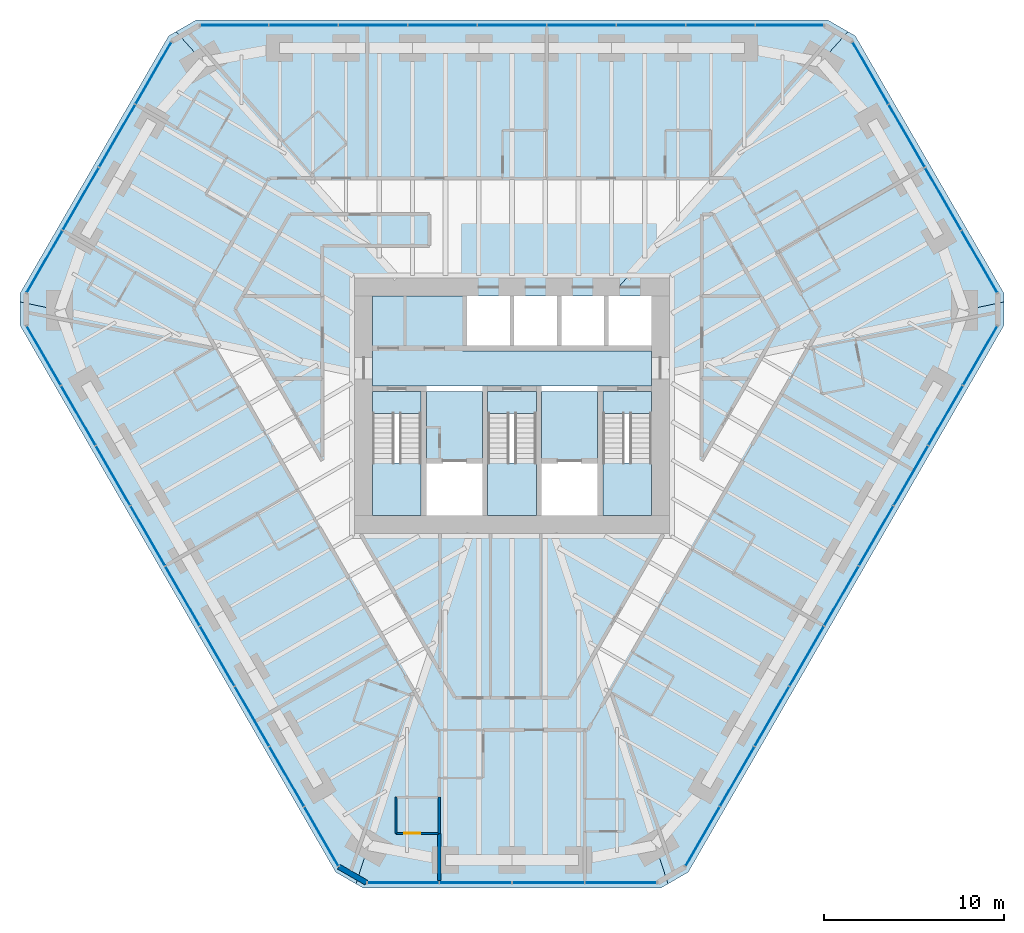
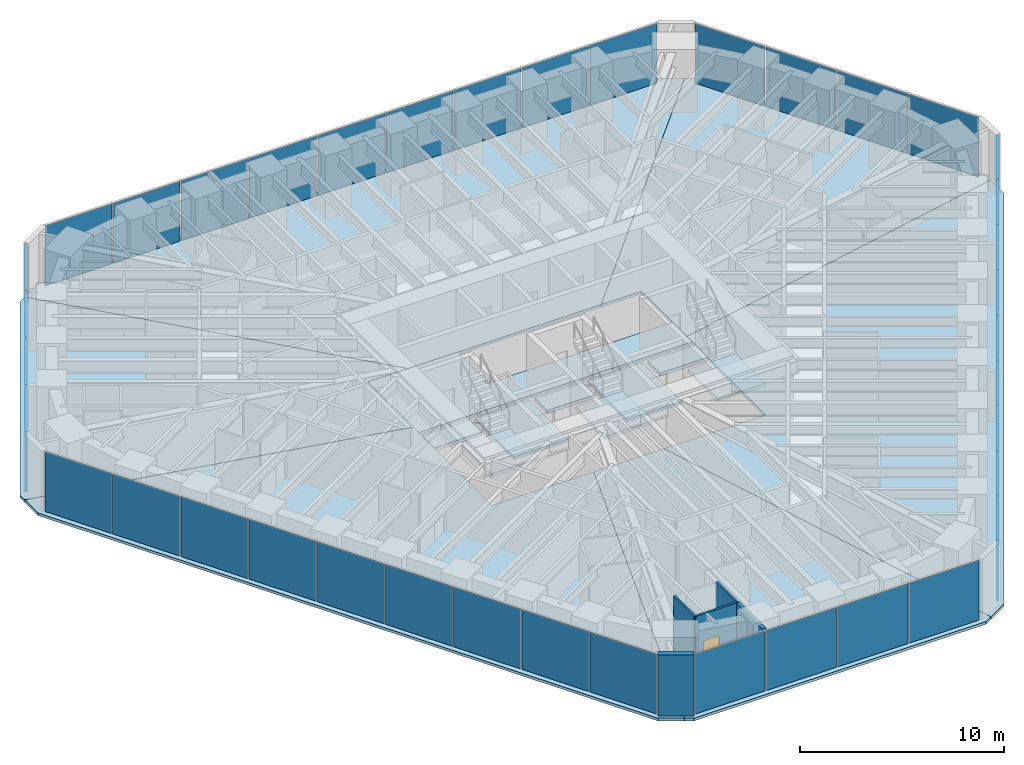
# One storey, part 10 of 16: 39 plates, 15 slabs, 5 walls, 1 door, 1 opening, 9 elements without a shape of their own.
"""IFC4 building model written with IfcOpenShell, lengths in metres."""

import ifcopenshell
import ifcopenshell.guid

model = None  # the IFC model being written
_history = None  # IfcOwnerHistory: only IFC2X3 demands one
_inside = {}  # id of a spatial element -> (the spatial element, [elements in it])
_under = {}  # id of a project, library or spatial element -> (it, [spatial elements below it])
_declared = {}  # id of a project -> (the project, [libraries it declares])
_typed = {}  # id of a type object -> (the type object, [elements of that type])
_made_of = {}  # id of a material, layer set ... -> (it, [elements and type objects made of it])


def new_model(schema):
    """Start an empty IFC model of exactly this schema.

    Asked for "IFC4X3", IfcOpenShell would pick the latest addendum, in which some entities
    have other attributes; the version numbers below select the first issue.
    IFC2X3 requires an IfcOwnerHistory on every rooted entity: one is made here for all.
    """
    global model, _history
    if schema == "IFC4X3":
        model = ifcopenshell.file(schema_version=(4, 3, 0, 0))
    else:
        model = ifcopenshell.file(schema=schema)
    _inside.clear()
    _under.clear()
    _declared.clear()
    _typed.clear()
    _made_of.clear()
    _history = None
    if model.schema == "IFC2X3":
        org = make("IfcOrganization", Name="unknown")
        user = make(
            "IfcPersonAndOrganization",
            ThePerson=make("IfcPerson", FamilyName="unknown"),
            TheOrganization=org,
        )
        app = make(
            "IfcApplication",
            ApplicationDeveloper=org,
            Version="unknown",
            ApplicationFullName="unknown",
            ApplicationIdentifier="unknown",
        )
        _history = make(
            "IfcOwnerHistory",
            OwningUser=user,
            OwningApplication=app,
            ChangeAction="ADDED",
            CreationDate=0,
        )
    return model


def make(cls, **values):
    """One entity of the class cls with the attributes given. An attribute that is None is left unset."""
    return model.create_entity(
        cls, **{name: value for name, value in values.items() if value is not None}
    )


def rooted(cls, **values):
    """An entity with a GlobalId (a new one), such as an element, a storey or a relation."""
    return make(cls, GlobalId=ifcopenshell.guid.new(), OwnerHistory=_history, **values)


def si_unit(unit_type, name, prefix=None):
    """IfcSIUnit, for example si_unit("LENGTHUNIT", "METRE", prefix="MILLI")."""
    return make("IfcSIUnit", UnitType=unit_type, Prefix=prefix, Name=name)


def assignment(units):
    """IfcUnitAssignment: the units of a project."""
    return None if units is None else make("IfcUnitAssignment", Units=units)


def point(xyz):
    """IfcCartesianPoint."""
    return None if xyz is None else make("IfcCartesianPoint", Coordinates=xyz)


def direction(xyz):
    """IfcDirection."""
    return None if xyz is None else make("IfcDirection", DirectionRatios=xyz)


def frame(location, z_axis=None, x_axis=None):
    """IfcAxis2Placement3D, a coordinate frame: its origin and axes. An axis left out is left unset."""
    return make(
        "IfcAxis2Placement3D",
        Location=point(location),
        Axis=direction(z_axis),
        RefDirection=direction(x_axis),
    )


def frame_2d(location, x_axis=None):
    """IfcAxis2Placement2D, a coordinate frame in the plane: its origin and x axis."""
    return make(
        "IfcAxis2Placement2D", Location=point(location), RefDirection=direction(x_axis)
    )


def origin():
    """The frame at (0, 0, 0) with its axes left unset."""
    return frame((0.0, 0.0, 0.0))


def origin_2d():
    """The frame at (0, 0) in the plane with its x axis left unset."""
    return frame_2d((0.0, 0.0))


def place(relative_to, where):
    """IfcLocalPlacement: puts the frame where relative to a parent placement (None: the world)."""
    return make(
        "IfcLocalPlacement", PlacementRelTo=relative_to, RelativePlacement=where
    )


def context(
    kind, dimensions, precision=None, world=None, true_north=None, identifier=None
):
    """IfcGeometricRepresentationContext, for example the 3D "Model" context."""
    return make(
        "IfcGeometricRepresentationContext",
        ContextIdentifier=identifier,
        ContextType=kind,
        CoordinateSpaceDimension=dimensions,
        Precision=precision,
        WorldCoordinateSystem=world,
        TrueNorth=true_north,
    )


def subcontext(parent, identifier, kind, view, scale=None):
    """IfcGeometricRepresentationSubContext, for example "Body" below "Model"."""
    return make(
        "IfcGeometricRepresentationSubContext",
        ContextIdentifier=identifier,
        ContextType=kind,
        ParentContext=parent,
        TargetScale=scale,
        TargetView=view,
    )


def project(units=None, contexts=None):
    """IfcProject with its units and contexts."""
    return rooted(
        "IfcProject",
        Name="project",
        RepresentationContexts=contexts,
        UnitsInContext=assignment(units),
    )


def spatial(cls, under=None, at=None, **own):
    """A site, building, storey or space (cls), placed at a placement, below another one or the project."""
    s = rooted(cls, ObjectPlacement=at, **own)
    if under is not None:
        _under.setdefault(under.id(), (under, []))[1].append(s)
    return s


def polyline(points):
    """IfcPolyline through the points."""
    return make("IfcPolyline", Points=[point(p) for p in points])


def profile(cls, at=None, kind="AREA", **sizes):
    """A parametric profile (cls). Its sizes go by their IFC names, for example OverallWidth=200.0."""
    return make(cls, ProfileType=kind, Position=at, **sizes)


def rectangle(**sizes):
    """IfcRectangleProfileDef."""
    return profile("IfcRectangleProfileDef", **sizes)


def outline(outer, holes=None, kind="AREA"):
    """IfcArbitraryClosedProfileDef: a profile drawn as a closed curve; with holes, ...WithVoids."""
    if holes is None:
        return make("IfcArbitraryClosedProfileDef", ProfileType=kind, OuterCurve=outer)
    return make(
        "IfcArbitraryProfileDefWithVoids",
        ProfileType=kind,
        OuterCurve=outer,
        InnerCurves=holes,
    )


def extrude(swept, where, along, depth):
    """IfcExtrudedAreaSolid: the profile swept, set in the frame where, extruded along a direction by depth."""
    return make(
        "IfcExtrudedAreaSolid",
        SweptArea=swept,
        Position=where,
        ExtrudedDirection=direction(along),
        Depth=depth,
    )


def shape(context_of_items, identifier, shape_type, items):
    """IfcShapeRepresentation: the items that make up one representation, for example the "Body"."""
    return make(
        "IfcShapeRepresentation",
        ContextOfItems=context_of_items,
        RepresentationIdentifier=identifier,
        RepresentationType=shape_type,
        Items=items,
    )


def material(Name=None, Category=None):
    """IfcMaterial."""
    return make("IfcMaterial", Name=Name, Category=Category)


def layer(
    of_material, thickness, ventilated=None, Name=None, Category=None, Priority=None
):
    """IfcMaterialLayer: one layer of a wall or slab, of a material (None: an air gap)."""
    return make(
        "IfcMaterialLayer",
        Material=of_material,
        LayerThickness=thickness,
        IsVentilated=ventilated,
        Name=Name,
        Category=Category,
        Priority=Priority,
    )


def layer_set(layers, Name=None):
    """IfcMaterialLayerSet."""
    return make("IfcMaterialLayerSet", MaterialLayers=layers, LayerSetName=Name)


def made_of(thing, what):
    """Note that an element or type object is made of a material, layer set ...; save() writes the relation."""
    if what is not None:
        _made_of.setdefault(what.id(), (what, []))[1].append(thing)
    return thing


def type_object(cls, material=None, **own):
    """A type object (cls), such as IfcWallType, which elements share."""
    return made_of(rooted(cls, **own), material)


def element(
    cls,
    number,
    at=None,
    inside=None,
    cuts=None,
    type_object=None,
    material=None,
    context=None,
    identifier="Body",
    shape_type=None,
    held_by="IfcProductDefinitionShape",
    body=None,
    shapes=None,
    **own,
):
    """One element of the class cls, such as IfcWall. Its Tag is "e" and its number.

    at: its placement. inside: the storey or other place that contains it. cuts: it is an
    opening in that element (IfcRelVoidsElement). A single representation is given by context,
    identifier, shape_type and body (its items); several are given by shapes. held_by: the class
    of the entity that holds the representations. save() writes the other relations.
    """
    e = rooted(cls, Tag="e%d" % number, ObjectPlacement=at, **own)
    if body is not None:
        shapes = [shape(context, identifier, shape_type, body)]
    if shapes is not None:
        e.Representation = make(held_by, Representations=shapes)
    if inside is not None:
        _inside.setdefault(inside.id(), (inside, []))[1].append(e)
    if cuts is not None:
        rooted(
            "IfcRelVoidsElement", RelatingBuildingElement=cuts, RelatedOpeningElement=e
        )
    if type_object is not None:
        _typed.setdefault(type_object.id(), (type_object, []))[1].append(e)
    return made_of(e, material)


def fill(opening, filler):
    """IfcRelFillsElement: the door or window that sits in an opening."""
    return rooted(
        "IfcRelFillsElement",
        RelatingOpeningElement=opening,
        RelatedBuildingElement=filler,
    )


def aggregate(whole, parts):
    """IfcRelAggregates: a whole, such as a stair, and the parts it consists of."""
    return rooted("IfcRelAggregates", RelatingObject=whole, RelatedObjects=parts)


def save(model, path):
    """Write the relations noted so far, then the file.

    IfcRelAggregates (storeys below a building ...), IfcRelContainedInSpatialStructure (elements
    in a storey), IfcRelDefinesByType, IfcRelAssociatesMaterial and IfcRelDeclares: one each for
    every whole, place, type object, material and project.
    """
    for whole, parts in _under.values():
        aggregate(whole, parts)
    for where, things in _inside.values():
        rooted(
            "IfcRelContainedInSpatialStructure",
            RelatedElements=things,
            RelatingStructure=where,
        )
    for kind, things in _typed.values():
        rooted("IfcRelDefinesByType", RelatedObjects=things, RelatingType=kind)
    for what, things in _made_of.values():
        rooted("IfcRelAssociatesMaterial", RelatedObjects=things, RelatingMaterial=what)
    for by, libraries in _declared.values():
        rooted("IfcRelDeclares", RelatingContext=by, RelatedDefinitions=libraries)
    model.write(path)


model = new_model("IFC4")

# Units and contexts
model_context = context("Model", 3, precision=1e-05, world=origin(), true_north=direction((0.0, 1.0)))
body_context = subcontext(model_context, "Body", "Model", "MODEL_VIEW")
ifc_project = project(units=[si_unit("LENGTHUNIT", "METRE"), si_unit("AREAUNIT", "SQUARE_METRE"), si_unit("VOLUMEUNIT", "CUBIC_METRE"), si_unit("PLANEANGLEUNIT", "RADIAN"), si_unit("MASSUNIT", "GRAM", prefix="KILO")], contexts=[model_context])

# Site, building, storey
site_placement = place(None, origin())
site = spatial("IfcSite", under=ifc_project, at=site_placement, CompositionType="ELEMENT")
building_placement = place(site_placement, origin())
building = spatial("IfcBuilding", under=site, at=building_placement, Name="Sandreach Pilgrim Tower", CompositionType="ELEMENT")
storey_placement = place(building_placement, frame((0.0, 0.0, 206.0)))
storey = spatial("IfcBuildingStorey", under=building, at=storey_placement, Name="L51", CompositionType="ELEMENT", Elevation=206.0)

# Curtain wall, plates
ifc_material_1 = material(Name="Aluminium framed curtain wall", Category="aluminium")
curtain_wall_type = type_object("IfcCurtainWallType", Name="Upper hotel tower curtain wall", PredefinedType="NOTDEFINED", material=ifc_material_1)
curtain_wall_1_placement = place(storey_placement, origin())
curtain_wall_1 = element("IfcCurtainWall", 1, at=curtain_wall_1_placement, inside=storey, type_object=curtain_wall_type, Name="CW-3 L51 N", PredefinedType="NOTDEFINED")
ifc_material_2 = material(Name="Insulating glass unit 12.76 laminated + 20 argon + 12.76 laminated", Category="glass")
ifc_layer_1 = layer(ifc_material_2, 0.0458984375)
ifc_layer_set_1 = layer_set([ifc_layer_1], Name="CW-3 panel")
plate_type = type_object("IfcPlateType", Name="CW-3 panel", PredefinedType="CURTAIN_PANEL", material=ifc_layer_set_1)
plate_1_placement = place(storey_placement, frame((-15.44140625, 21.16015625, 0.0), z_axis=(0.0, 0.0, 1.0), x_axis=(1.0, 0.0, 0.0)))
plate_1 = element("IfcPlate", 2, at=plate_1_placement, type_object=plate_type, Name="CW-3 panel 1", PredefinedType="CURTAIN_PANEL", context=body_context, shape_type="SweptSolid", body=[
    extrude(rectangle(XDim=3.766845703125, YDim=0.0458984375, at=origin_2d()), origin(), (0.0, 0.0, 1.0), 3.570068359375),
])
plate_2_placement = place(storey_placement, frame((-11.59326171875, 21.16015625, 0.0), z_axis=(0.0, 0.0, 1.0), x_axis=(1.0, 0.0, 0.0)))
plate_2 = element("IfcPlate", 3, at=plate_2_placement, type_object=plate_type, Name="CW-3 panel 2", PredefinedType="CURTAIN_PANEL", context=body_context, shape_type="SweptSolid", body=[
    extrude(rectangle(XDim=3.79931640625, YDim=0.0458984375, at=origin_2d()), origin(), (0.0, 0.0, 1.0), 3.570068359375),
])
plate_3_placement = place(storey_placement, frame((-7.728759765625, 21.16015625, 0.0), z_axis=(0.0, 0.0, 1.0), x_axis=(1.0, 0.0, 0.0)))
plate_3 = element("IfcPlate", 4, at=plate_3_placement, type_object=plate_type, Name="CW-3 panel 3", PredefinedType="CURTAIN_PANEL", context=body_context, shape_type="SweptSolid", body=[
    extrude(rectangle(XDim=3.79931640625, YDim=0.0458984375, at=origin_2d()), origin(), (0.0, 0.0, 1.0), 3.570068359375),
])
plate_4_placement = place(storey_placement, frame((-3.864501953125, 21.16015625, 0.0), z_axis=(0.0, 0.0, 1.0), x_axis=(1.0, 0.0, 0.0)))
plate_4 = element("IfcPlate", 5, at=plate_4_placement, type_object=plate_type, Name="CW-3 panel 4", PredefinedType="CURTAIN_PANEL", context=body_context, shape_type="SweptSolid", body=[
    extrude(rectangle(XDim=3.79931640625, YDim=0.0458984375, at=origin_2d()), origin(), (0.0, 0.0, 1.0), 3.570068359375),
])
plate_5_placement = place(storey_placement, frame((0.0, 21.16015625, 0.0), z_axis=(0.0, 0.0, 1.0), x_axis=(1.0, 0.0, 0.0)))
plate_5 = element("IfcPlate", 6, at=plate_5_placement, type_object=plate_type, Name="CW-3 panel 5", PredefinedType="CURTAIN_PANEL", context=body_context, shape_type="SweptSolid", body=[
    extrude(rectangle(XDim=3.79931640625, YDim=0.0458984375, at=origin_2d()), origin(), (0.0, 0.0, 1.0), 3.570068359375),
])
plate_6_placement = place(storey_placement, frame((3.864501953125, 21.16015625, 0.0), z_axis=(0.0, 0.0, 1.0), x_axis=(1.0, 0.0, 0.0)))
plate_6 = element("IfcPlate", 7, at=plate_6_placement, type_object=plate_type, Name="CW-3 panel 6", PredefinedType="CURTAIN_PANEL", context=body_context, shape_type="SweptSolid", body=[
    extrude(rectangle(XDim=3.79931640625, YDim=0.0458984375, at=origin_2d()), origin(), (0.0, 0.0, 1.0), 3.570068359375),
])
plate_7_placement = place(storey_placement, frame((7.728759765625, 21.16015625, 0.0), z_axis=(0.0, 0.0, 1.0), x_axis=(1.0, 0.0, 0.0)))
plate_7 = element("IfcPlate", 8, at=plate_7_placement, type_object=plate_type, Name="CW-3 panel 7", PredefinedType="CURTAIN_PANEL", context=body_context, shape_type="SweptSolid", body=[
    extrude(rectangle(XDim=3.79931640625, YDim=0.0458984375, at=origin_2d()), origin(), (0.0, 0.0, 1.0), 3.570068359375),
])
plate_8_placement = place(storey_placement, frame((11.59326171875, 21.16015625, 0.0), z_axis=(0.0, 0.0, 1.0), x_axis=(1.0, 0.0, 0.0)))
plate_8 = element("IfcPlate", 9, at=plate_8_placement, type_object=plate_type, Name="CW-3 panel 8", PredefinedType="CURTAIN_PANEL", context=body_context, shape_type="SweptSolid", body=[
    extrude(rectangle(XDim=3.79931640625, YDim=0.0458984375, at=origin_2d()), origin(), (0.0, 0.0, 1.0), 3.570068359375),
])
plate_9_placement = place(storey_placement, frame((15.44140625, 21.16015625, 0.0), z_axis=(0.0, 0.0, 1.0), x_axis=(1.0, 0.0, 0.0)))
plate_9 = element("IfcPlate", 10, at=plate_9_placement, type_object=plate_type, Name="CW-3 panel 9", PredefinedType="CURTAIN_PANEL", context=body_context, shape_type="SweptSolid", body=[
    extrude(rectangle(XDim=3.766845703125, YDim=0.0458984375, at=origin_2d()), origin(), (0.0, 0.0, 1.0), 3.570068359375),
])
aggregate(curtain_wall_1, [plate_1, plate_2, plate_3, plate_4, plate_5, plate_6, plate_7, plate_8, plate_9])

curtain_wall_2_placement = place(storey_placement, origin())
curtain_wall_2 = element("IfcCurtainWall", 11, at=curtain_wall_2_placement, inside=storey, type_object=curtain_wall_type, Name="CW-3 L51 NE", PredefinedType="NOTDEFINED")
plate_10_placement = place(storey_placement, frame((19.943115234375, 18.5078125, 0.0), z_axis=(0.0, 0.0, 1.0), x_axis=(0.5, -0.866025403784, 0.0)))
plate_10 = element("IfcPlate", 12, at=plate_10_placement, type_object=plate_type, Name="CW-3 panel 1", PredefinedType="CURTAIN_PANEL", context=body_context, shape_type="SweptSolid", body=[
    extrude(rectangle(XDim=3.951171875, YDim=0.0458984375, at=origin_2d()), origin(), (0.0, 0.0, 1.0), 3.570068359375),
])
plate_11_placement = place(storey_placement, frame((21.959228515625, 15.015625, 0.0), z_axis=(0.0, 0.0, 1.0), x_axis=(0.5, -0.866025403784, 0.0)))
plate_11 = element("IfcPlate", 13, at=plate_11_placement, type_object=plate_type, Name="CW-3 panel 2", PredefinedType="CURTAIN_PANEL", context=body_context, shape_type="SweptSolid", body=[
    extrude(rectangle(XDim=3.983642578125, YDim=0.0458984375, at=origin_2d()), origin(), (0.0, 0.0, 1.0), 3.570068359375),
])
plate_12_placement = place(storey_placement, frame((23.983642578125, 11.509521484375, 0.0), z_axis=(0.0, 0.0, 1.0), x_axis=(0.5, -0.866025403784, 0.0)))
plate_12 = element("IfcPlate", 14, at=plate_12_placement, type_object=plate_type, Name="CW-3 panel 3", PredefinedType="CURTAIN_PANEL", context=body_context, shape_type="SweptSolid", body=[
    extrude(rectangle(XDim=3.983642578125, YDim=0.0458984375, at=origin_2d()), origin(), (0.0, 0.0, 1.0), 3.570068359375),
])
plate_13_placement = place(storey_placement, frame((25.999755859375, 8.017333984375, 0.0), z_axis=(0.0, 0.0, 1.0), x_axis=(0.5, -0.866025403784, 0.0)))
plate_13 = element("IfcPlate", 15, at=plate_13_placement, type_object=plate_type, Name="CW-3 panel 4", PredefinedType="CURTAIN_PANEL", context=body_context, shape_type="SweptSolid", body=[
    extrude(rectangle(XDim=3.951171875, YDim=0.0458984375, at=origin_2d()), origin(), (0.0, 0.0, 1.0), 3.570068359375),
])
aggregate(curtain_wall_2, [plate_10, plate_11, plate_12, plate_13])

curtain_wall_3_placement = place(storey_placement, origin())
curtain_wall_3 = element("IfcCurtainWall", 16, at=curtain_wall_3_placement, inside=storey, type_object=curtain_wall_type, Name="CW-3 L51 SE", PredefinedType="NOTDEFINED")
plate_14_placement = place(storey_placement, frame((26.0458984375, 2.792724609375, 0.0), z_axis=(0.0, 0.0, 1.0), x_axis=(-0.5, -0.866025403784, 0.0)))
plate_14 = element("IfcPlate", 17, at=plate_14_placement, type_object=plate_type, Name="CW-3 panel 1", PredefinedType="CURTAIN_PANEL", context=body_context, shape_type="SweptSolid", body=[
    extrude(rectangle(XDim=3.766845703125, YDim=0.0458984375, at=origin_2d()), origin(), (0.0, 0.0, 1.0), 3.570068359375),
])
plate_15_placement = place(storey_placement, frame((24.121826171875, -0.5400390625, 0.0), z_axis=(0.0, 0.0, 1.0), x_axis=(-0.5, -0.866025403784, 0.0)))
plate_15 = element("IfcPlate", 18, at=plate_15_placement, type_object=plate_type, Name="CW-3 panel 2", PredefinedType="CURTAIN_PANEL", context=body_context, shape_type="SweptSolid", body=[
    extrude(rectangle(XDim=3.79931640625, YDim=0.0458984375, at=origin_2d()), origin(), (0.0, 0.0, 1.0), 3.570068359375),
])
plate_16_placement = place(storey_placement, frame((22.189697265625, -3.88671875, 0.0), z_axis=(0.0, 0.0, 1.0), x_axis=(-0.5, -0.866025403784, 0.0)))
plate_16 = element("IfcPlate", 19, at=plate_16_placement, type_object=plate_type, Name="CW-3 panel 3", PredefinedType="CURTAIN_PANEL", context=body_context, shape_type="SweptSolid", body=[
    extrude(rectangle(XDim=3.79931640625, YDim=0.0458984375, at=origin_2d()), origin(), (0.0, 0.0, 1.0), 3.570068359375),
])
plate_17_placement = place(storey_placement, frame((20.25732421875, -7.2333984375, 0.0), z_axis=(0.0, 0.0, 1.0), x_axis=(-0.5, -0.866025403784, 0.0)))
plate_17 = element("IfcPlate", 20, at=plate_17_placement, type_object=plate_type, Name="CW-3 panel 4", PredefinedType="CURTAIN_PANEL", context=body_context, shape_type="SweptSolid", body=[
    extrude(rectangle(XDim=3.79931640625, YDim=0.0458984375, at=origin_2d()), origin(), (0.0, 0.0, 1.0), 3.570068359375),
])
plate_18_placement = place(storey_placement, frame((18.3251953125, -10.580078125, 0.0), z_axis=(0.0, 0.0, 1.0), x_axis=(-0.5, -0.866025403784, 0.0)))
plate_18 = element("IfcPlate", 21, at=plate_18_placement, type_object=plate_type, Name="CW-3 panel 5", PredefinedType="CURTAIN_PANEL", context=body_context, shape_type="SweptSolid", body=[
    extrude(rectangle(XDim=3.79931640625, YDim=0.0458984375, at=origin_2d()), origin(), (0.0, 0.0, 1.0), 3.570068359375),
])
plate_19_placement = place(storey_placement, frame((16.39306640625, -13.9267578125, 0.0), z_axis=(0.0, 0.0, 1.0), x_axis=(-0.5, -0.866025403784, 0.0)))
plate_19 = element("IfcPlate", 22, at=plate_19_placement, type_object=plate_type, Name="CW-3 panel 6", PredefinedType="CURTAIN_PANEL", context=body_context, shape_type="SweptSolid", body=[
    extrude(rectangle(XDim=3.79931640625, YDim=0.0458984375, at=origin_2d()), origin(), (0.0, 0.0, 1.0), 3.570068359375),
])
plate_20_placement = place(storey_placement, frame((14.460693359375, -17.2734375, 0.0), z_axis=(0.0, 0.0, 1.0), x_axis=(-0.5, -0.866025403784, 0.0)))
plate_20 = element("IfcPlate", 23, at=plate_20_placement, type_object=plate_type, Name="CW-3 panel 7", PredefinedType="CURTAIN_PANEL", context=body_context, shape_type="SweptSolid", body=[
    extrude(rectangle(XDim=3.79931640625, YDim=0.0458984375, at=origin_2d()), origin(), (0.0, 0.0, 1.0), 3.570068359375),
])
plate_21_placement = place(storey_placement, frame((12.528564453125, -20.6201171875, 0.0), z_axis=(0.0, 0.0, 1.0), x_axis=(-0.5, -0.866025403784, 0.0)))
plate_21 = element("IfcPlate", 24, at=plate_21_placement, type_object=plate_type, Name="CW-3 panel 8", PredefinedType="CURTAIN_PANEL", context=body_context, shape_type="SweptSolid", body=[
    extrude(rectangle(XDim=3.79931640625, YDim=0.0458984375, at=origin_2d()), origin(), (0.0, 0.0, 1.0), 3.570068359375),
])
plate_22_placement = place(storey_placement, frame((10.6044921875, -23.95263671875, 0.0), z_axis=(0.0, 0.0, 1.0), x_axis=(-0.5, -0.866025403784, 0.0)))
plate_22 = element("IfcPlate", 25, at=plate_22_placement, type_object=plate_type, Name="CW-3 panel 9", PredefinedType="CURTAIN_PANEL", context=body_context, shape_type="SweptSolid", body=[
    extrude(rectangle(XDim=3.766845703125, YDim=0.0458984375, at=origin_2d()), origin(), (0.0, 0.0, 1.0), 3.570068359375),
])
aggregate(curtain_wall_3, [plate_14, plate_15, plate_16, plate_17, plate_18, plate_19, plate_20, plate_21, plate_22])

curtain_wall_4_placement = place(storey_placement, origin())
curtain_wall_4 = element("IfcCurtainWall", 26, at=curtain_wall_4_placement, inside=storey, type_object=curtain_wall_type, Name="CW-3 L51 S", PredefinedType="NOTDEFINED")
plate_23_placement = place(storey_placement, frame((6.056884765625, -26.525146484375, 0.0), z_axis=(0.0, 0.0, 1.0), x_axis=(-1.0, 0.0, 0.0)))
plate_23 = element("IfcPlate", 27, at=plate_23_placement, type_object=plate_type, Name="CW-3 panel 1", PredefinedType="CURTAIN_PANEL", context=body_context, shape_type="SweptSolid", body=[
    extrude(rectangle(XDim=3.951171875, YDim=0.0458984375, at=origin_2d()), origin(), (0.0, 0.0, 1.0), 3.570068359375),
])
plate_24_placement = place(storey_placement, frame((2.0244140625, -26.525146484375, 0.0), z_axis=(0.0, 0.0, 1.0), x_axis=(-1.0, 0.0, 0.0)))
plate_24 = element("IfcPlate", 28, at=plate_24_placement, type_object=plate_type, Name="CW-3 panel 2", PredefinedType="CURTAIN_PANEL", context=body_context, shape_type="SweptSolid", body=[
    extrude(rectangle(XDim=3.983642578125, YDim=0.0458984375, at=origin_2d()), origin(), (0.0, 0.0, 1.0), 3.570068359375),
])
plate_25_placement = place(storey_placement, frame((-2.0244140625, -26.525146484375, 0.0), z_axis=(0.0, 0.0, 1.0), x_axis=(-1.0, 0.0, 0.0)))
plate_25 = element("IfcPlate", 29, at=plate_25_placement, type_object=plate_type, Name="CW-3 panel 3", PredefinedType="CURTAIN_PANEL", context=body_context, shape_type="SweptSolid", body=[
    extrude(rectangle(XDim=3.983642578125, YDim=0.0458984375, at=origin_2d()), origin(), (0.0, 0.0, 1.0), 3.570068359375),
])
plate_26_placement = place(storey_placement, frame((-6.056884765625, -26.525146484375, 0.0), z_axis=(0.0, 0.0, 1.0), x_axis=(-1.0, 0.0, 0.0)))
plate_26 = element("IfcPlate", 30, at=plate_26_placement, type_object=plate_type, Name="CW-3 panel 4", PredefinedType="CURTAIN_PANEL", context=body_context, shape_type="SweptSolid", body=[
    extrude(rectangle(XDim=3.951171875, YDim=0.0458984375, at=origin_2d()), origin(), (0.0, 0.0, 1.0), 3.570068359375),
])
aggregate(curtain_wall_4, [plate_23, plate_24, plate_25, plate_26])

curtain_wall_5_placement = place(storey_placement, origin())
curtain_wall_5 = element("IfcCurtainWall", 31, at=curtain_wall_5_placement, inside=storey, type_object=curtain_wall_type, Name="CW-3 L51 SW", PredefinedType="NOTDEFINED")
plate_27_placement = place(storey_placement, frame((-10.6044921875, -23.95263671875, 0.0), z_axis=(0.0, 0.0, 1.0), x_axis=(-0.5, 0.866025403784, 0.0)))
plate_27 = element("IfcPlate", 32, at=plate_27_placement, type_object=plate_type, Name="CW-3 panel 1", PredefinedType="CURTAIN_PANEL", context=body_context, shape_type="SweptSolid", body=[
    extrude(rectangle(XDim=3.766845703125, YDim=0.0458984375, at=origin_2d()), origin(), (0.0, 0.0, 1.0), 3.570068359375),
])
plate_28_placement = place(storey_placement, frame((-12.528564453125, -20.6201171875, 0.0), z_axis=(0.0, 0.0, 1.0), x_axis=(-0.5, 0.866025403784, 0.0)))
plate_28 = element("IfcPlate", 33, at=plate_28_placement, type_object=plate_type, Name="CW-3 panel 2", PredefinedType="CURTAIN_PANEL", context=body_context, shape_type="SweptSolid", body=[
    extrude(rectangle(XDim=3.79931640625, YDim=0.0458984375, at=origin_2d()), origin(), (0.0, 0.0, 1.0), 3.570068359375),
])
plate_29_placement = place(storey_placement, frame((-14.460693359375, -17.2734375, 0.0), z_axis=(0.0, 0.0, 1.0), x_axis=(-0.5, 0.866025403784, 0.0)))
plate_29 = element("IfcPlate", 34, at=plate_29_placement, type_object=plate_type, Name="CW-3 panel 3", PredefinedType="CURTAIN_PANEL", context=body_context, shape_type="SweptSolid", body=[
    extrude(rectangle(XDim=3.79931640625, YDim=0.0458984375, at=origin_2d()), origin(), (0.0, 0.0, 1.0), 3.570068359375),
])
plate_30_placement = place(storey_placement, frame((-16.39306640625, -13.9267578125, 0.0), z_axis=(0.0, 0.0, 1.0), x_axis=(-0.5, 0.866025403784, 0.0)))
plate_30 = element("IfcPlate", 35, at=plate_30_placement, type_object=plate_type, Name="CW-3 panel 4", PredefinedType="CURTAIN_PANEL", context=body_context, shape_type="SweptSolid", body=[
    extrude(rectangle(XDim=3.79931640625, YDim=0.0458984375, at=origin_2d()), origin(), (0.0, 0.0, 1.0), 3.570068359375),
])
plate_31_placement = place(storey_placement, frame((-18.3251953125, -10.580078125, 0.0), z_axis=(0.0, 0.0, 1.0), x_axis=(-0.5, 0.866025403784, 0.0)))
plate_31 = element("IfcPlate", 36, at=plate_31_placement, type_object=plate_type, Name="CW-3 panel 5", PredefinedType="CURTAIN_PANEL", context=body_context, shape_type="SweptSolid", body=[
    extrude(rectangle(XDim=3.79931640625, YDim=0.0458984375, at=origin_2d()), origin(), (0.0, 0.0, 1.0), 3.570068359375),
])
plate_32_placement = place(storey_placement, frame((-20.25732421875, -7.2333984375, 0.0), z_axis=(0.0, 0.0, 1.0), x_axis=(-0.5, 0.866025403784, 0.0)))
plate_32 = element("IfcPlate", 37, at=plate_32_placement, type_object=plate_type, Name="CW-3 panel 6", PredefinedType="CURTAIN_PANEL", context=body_context, shape_type="SweptSolid", body=[
    extrude(rectangle(XDim=3.79931640625, YDim=0.0458984375, at=origin_2d()), origin(), (0.0, 0.0, 1.0), 3.570068359375),
])
plate_33_placement = place(storey_placement, frame((-22.189697265625, -3.88671875, 0.0), z_axis=(0.0, 0.0, 1.0), x_axis=(-0.5, 0.866025403784, 0.0)))
plate_33 = element("IfcPlate", 38, at=plate_33_placement, type_object=plate_type, Name="CW-3 panel 7", PredefinedType="CURTAIN_PANEL", context=body_context, shape_type="SweptSolid", body=[
    extrude(rectangle(XDim=3.79931640625, YDim=0.0458984375, at=origin_2d()), origin(), (0.0, 0.0, 1.0), 3.570068359375),
])
plate_34_placement = place(storey_placement, frame((-24.121826171875, -0.5400390625, 0.0), z_axis=(0.0, 0.0, 1.0), x_axis=(-0.5, 0.866025403784, 0.0)))
plate_34 = element("IfcPlate", 39, at=plate_34_placement, type_object=plate_type, Name="CW-3 panel 8", PredefinedType="CURTAIN_PANEL", context=body_context, shape_type="SweptSolid", body=[
    extrude(rectangle(XDim=3.79931640625, YDim=0.0458984375, at=origin_2d()), origin(), (0.0, 0.0, 1.0), 3.570068359375),
])
plate_35_placement = place(storey_placement, frame((-26.0458984375, 2.792724609375, 0.0), z_axis=(0.0, 0.0, 1.0), x_axis=(-0.5, 0.866025403784, 0.0)))
plate_35 = element("IfcPlate", 40, at=plate_35_placement, type_object=plate_type, Name="CW-3 panel 9", PredefinedType="CURTAIN_PANEL", context=body_context, shape_type="SweptSolid", body=[
    extrude(rectangle(XDim=3.766845703125, YDim=0.0458984375, at=origin_2d()), origin(), (0.0, 0.0, 1.0), 3.570068359375),
])
aggregate(curtain_wall_5, [plate_27, plate_28, plate_29, plate_30, plate_31, plate_32, plate_33, plate_34, plate_35])

curtain_wall_6_placement = place(storey_placement, origin())
curtain_wall_6 = element("IfcCurtainWall", 41, at=curtain_wall_6_placement, inside=storey, type_object=curtain_wall_type, Name="CW-3 L51 NW", PredefinedType="NOTDEFINED")
plate_36_placement = place(storey_placement, frame((-25.999755859375, 8.017333984375, 0.0), z_axis=(0.0, 0.0, 1.0), x_axis=(0.5, 0.866025403784, 0.0)))
plate_36 = element("IfcPlate", 42, at=plate_36_placement, type_object=plate_type, Name="CW-3 panel 1", PredefinedType="CURTAIN_PANEL", context=body_context, shape_type="SweptSolid", body=[
    extrude(rectangle(XDim=3.951171875, YDim=0.0458984375, at=origin_2d()), origin(), (0.0, 0.0, 1.0), 3.570068359375),
])
plate_37_placement = place(storey_placement, frame((-23.983642578125, 11.509521484375, 0.0), z_axis=(0.0, 0.0, 1.0), x_axis=(0.5, 0.866025403784, 0.0)))
plate_37 = element("IfcPlate", 43, at=plate_37_placement, type_object=plate_type, Name="CW-3 panel 2", PredefinedType="CURTAIN_PANEL", context=body_context, shape_type="SweptSolid", body=[
    extrude(rectangle(XDim=3.983642578125, YDim=0.0458984375, at=origin_2d()), origin(), (0.0, 0.0, 1.0), 3.570068359375),
])
plate_38_placement = place(storey_placement, frame((-21.959228515625, 15.015625, 0.0), z_axis=(0.0, 0.0, 1.0), x_axis=(0.5, 0.866025403784, 0.0)))
plate_38 = element("IfcPlate", 44, at=plate_38_placement, type_object=plate_type, Name="CW-3 panel 3", PredefinedType="CURTAIN_PANEL", context=body_context, shape_type="SweptSolid", body=[
    extrude(rectangle(XDim=3.983642578125, YDim=0.0458984375, at=origin_2d()), origin(), (0.0, 0.0, 1.0), 3.570068359375),
])
plate_39_placement = place(storey_placement, frame((-19.943115234375, 18.5078125, 0.0), z_axis=(0.0, 0.0, 1.0), x_axis=(0.5, 0.866025403784, 0.0)))
plate_39 = element("IfcPlate", 45, at=plate_39_placement, type_object=plate_type, Name="CW-3 panel 4", PredefinedType="CURTAIN_PANEL", context=body_context, shape_type="SweptSolid", body=[
    extrude(rectangle(XDim=3.951171875, YDim=0.0458984375, at=origin_2d()), origin(), (0.0, 0.0, 1.0), 3.570068359375),
])
aggregate(curtain_wall_6, [plate_36, plate_37, plate_38, plate_39])

# Slabs
ifc_material_3 = material(Name="Concrete 8000 psi", Category="concrete")
ifc_layer_2 = layer(ifc_material_3, 0.159912109375)
ifc_layer_set_2 = layer_set([ifc_layer_2], Name="Composite floor slab 160")
slab_type_1 = type_object("IfcSlabType", Name="Composite floor slab 160", PredefinedType="FLOOR", material=ifc_layer_set_2)
slab_1_placement = place(storey_placement, frame((0.0, 0.0, -0.159912109375)))
element("IfcSlab", 46, at=slab_1_placement, inside=storey, type_object=slab_type_1, Name="Floor slab L51 N sector", PredefinedType="FLOOR", context=body_context, shape_type="SweptSolid", body=[
    extrude(outline(polyline([(-17.56298828125, 21.460205078125), (17.56298828125, 21.460205078125), (18.68701171875, 20.81103515625), (5.477294921875, 6.10009765625), (-5.477294921875, 6.10009765625), (-18.68701171875, 20.81103515625), (-17.56298828125, 21.460205078125)])), origin(), (0.0, 0.0, 1.0), 0.159912109375),
])
slab_2_placement = place(storey_placement, frame((0.0, 0.0, -0.159912109375)))
element("IfcSlab", 47, at=slab_2_placement, inside=storey, type_object=slab_type_1, Name="Floor slab L51 NE sector", PredefinedType="FLOOR", context=body_context, shape_type="SweptSolid", body=[
    extrude(outline(polyline([(19.095947265625, 20.5751953125), (27.366455078125, 6.25), (27.366455078125, 5.778076171875), (7.75, 1.63623046875), (7.75, 6.10009765625), (5.477294921875, 6.10009765625), (18.68701171875, 20.81103515625), (19.095947265625, 20.5751953125)])), origin(), (0.0, 0.0, 1.0), 0.159912109375),
])
slab_3_placement = place(storey_placement, frame((0.0, 0.0, -0.159912109375)))
element("IfcSlab", 48, at=slab_3_placement, inside=storey, type_object=slab_type_1, Name="Floor slab L51 SE sector", PredefinedType="FLOOR", context=body_context, shape_type="SweptSolid", body=[
    extrude(outline(polyline([(27.366455078125, 4.47998046875), (9.803466796875, -25.940185546875), (8.679443359375, -26.589111328125), (1.9912109375, -6.10009765625), (7.75, -6.10009765625), (7.75, 1.63623046875), (27.366455078125, 5.778076171875), (27.366455078125, 4.47998046875)])), origin(), (0.0, 0.0, 1.0), 0.159912109375),
])
slab_4_placement = place(storey_placement, frame((0.0, 0.0, -0.159912109375)))
element("IfcSlab", 49, at=slab_4_placement, inside=storey, type_object=slab_type_1, Name="Floor slab L51 S sector", PredefinedType="FLOOR", context=body_context, shape_type="SweptSolid", body=[
    extrude(outline(polyline([(8.2705078125, -26.8251953125), (-8.2705078125, -26.8251953125), (-8.679443359375, -26.589111328125), (-1.9912109375, -6.10009765625), (1.9912109375, -6.10009765625), (8.679443359375, -26.589111328125), (8.2705078125, -26.8251953125)])), origin(), (0.0, 0.0, 1.0), 0.159912109375),
])
slab_5_placement = place(storey_placement, frame((0.0, 0.0, -0.159912109375)))
element("IfcSlab", 50, at=slab_5_placement, inside=storey, type_object=slab_type_1, Name="Floor slab L51 SW sector", PredefinedType="FLOOR", context=body_context, shape_type="SweptSolid", body=[
    extrude(outline(polyline([(-9.803466796875, -25.940185546875), (-27.366455078125, 4.47998046875), (-27.366455078125, 5.778076171875), (-7.75, 1.63623046875), (-7.75, -6.10009765625), (-1.9912109375, -6.10009765625), (-8.679443359375, -26.589111328125), (-9.803466796875, -25.940185546875)])), origin(), (0.0, 0.0, 1.0), 0.159912109375),
])
slab_6_placement = place(storey_placement, frame((0.0, 0.0, -0.159912109375)))
element("IfcSlab", 51, at=slab_6_placement, inside=storey, type_object=slab_type_1, Name="Floor slab L51 NW sector", PredefinedType="FLOOR", context=body_context, shape_type="SweptSolid", body=[
    extrude(outline(polyline([(-27.366455078125, 6.25), (-19.095947265625, 20.5751953125), (-18.68701171875, 20.81103515625), (-5.477294921875, 6.10009765625), (-7.75, 6.10009765625), (-7.75, 1.63623046875), (-27.366455078125, 5.778076171875), (-27.366455078125, 6.25)])), origin(), (0.0, 0.0, 1.0), 0.159912109375),
])
slab_7_placement = place(storey_placement, frame((0.0, 0.0, -0.159912109375)))
element("IfcSlab", 52, at=slab_7_placement, inside=storey, type_object=slab_type_1, Name="Core floor slab and stores L51", PredefinedType="FLOOR", context=body_context, shape_type="SweptSolid", body=[
    extrude(outline(polyline([(-2.75, 3.35009765625), (-2.75, 3.050048828125), (-0.125, 3.050048828125), (0.125, 3.050048828125), (2.5, 3.050048828125), (2.75, 3.050048828125), (5.125, 3.050048828125), (5.375, 3.050048828125), (7.75, 3.050048828125), (7.75, 1.10009765625), (5.050048828125, 1.10009765625), (4.75, 1.10009765625), (1.64990234375, 1.10009765625), (1.35009765625, 1.10009765625), (-1.35009765625, 1.10009765625), (-1.64990234375, 1.10009765625), (-4.75, 1.10009765625), (-5.050048828125, 1.10009765625), (-7.75, 1.10009765625), (-7.75, 6.10009765625), (-2.64990234375, 6.10009765625), (-2.64990234375, 3.35009765625), (-2.75, 3.35009765625)])), origin(), (0.0, 0.0, 1.0), 0.159912109375),
])
slab_8_placement = place(storey_placement, frame((0.0, 0.0, -0.159912109375)))
element("IfcSlab", 53, at=slab_8_placement, inside=storey, type_object=slab_type_1, Name="Core floor slab and stores L51 2", PredefinedType="FLOOR", context=body_context, shape_type="SweptSolid", body=[
    extrude(outline(polyline([(-1.64990234375, -3.050048828125), (-4.75, -3.050048828125), (-4.75, 0.800048828125), (-1.64990234375, 0.800048828125), (-1.64990234375, -3.050048828125)])), origin(), (0.0, 0.0, 1.0), 0.159912109375),
])
slab_9_placement = place(storey_placement, frame((0.0, 0.0, -0.159912109375)))
element("IfcSlab", 54, at=slab_9_placement, inside=storey, type_object=slab_type_1, Name="Core floor slab and stores L51 3", PredefinedType="FLOOR", context=body_context, shape_type="SweptSolid", body=[
    extrude(outline(polyline([(4.75, -3.050048828125), (1.64990234375, -3.050048828125), (1.64990234375, 0.800048828125), (4.75, 0.800048828125), (4.75, -3.050048828125)])), origin(), (0.0, 0.0, 1.0), 0.159912109375),
])

# Stair, slabs
ifc_material_4 = material(Name="Concrete 8000 psi", Category="concrete")
stair_type = type_object("IfcStairType", Name="Core exit stair", PredefinedType="HALF_TURN_STAIR", material=ifc_material_4)
stair_1_placement = place(storey_placement, origin())
stair_1 = element("IfcStair", 55, at=stair_1_placement, inside=storey, type_object=stair_type, Name="Exit stair ST1 L51", PredefinedType="HALF_TURN_STAIR")
ifc_material_5 = material(Name="Concrete 8000 psi", Category="concrete")
ifc_layer_3 = layer(ifc_material_5, 0.199951171875)
ifc_layer_set_3 = layer_set([ifc_layer_3], Name="Core stair landing 200")
slab_type_2 = type_object("IfcSlabType", Name="Core stair landing 200", PredefinedType="LANDING", material=ifc_layer_set_3)
slab_10_placement = place(storey_placement, frame((0.0, 0.0, -0.199951171875)))
slab_10 = element("IfcSlab", 56, at=slab_10_placement, type_object=slab_type_2, Name="ST1 landing 1", PredefinedType="LANDING", context=body_context, shape_type="SweptSolid", body=[
    extrude(outline(polyline([(-7.75, -0.425048828125), (-5.050048828125, -0.425048828125), (-5.050048828125, 0.800048828125), (-7.75, 0.800048828125), (-7.75, -0.425048828125)])), origin(), (0.0, 0.0, 1.0), 0.199951171875),
])
slab_11_placement = place(storey_placement, frame((0.0, 0.0, 1.699951171875)))
slab_11 = element("IfcSlab", 57, at=slab_11_placement, type_object=slab_type_2, Name="ST1 landing 2", PredefinedType="LANDING", context=body_context, shape_type="SweptSolid", body=[
    extrude(outline(polyline([(-7.75, -6.10009765625), (-5.050048828125, -6.10009765625), (-5.050048828125, -3.175048828125), (-7.75, -3.175048828125), (-7.75, -6.10009765625)])), origin(), (0.0, 0.0, 1.0), 0.199951171875),
])
aggregate(stair_1, [slab_10, slab_11])

stair_2_placement = place(storey_placement, origin())
stair_2 = element("IfcStair", 58, at=stair_2_placement, inside=storey, type_object=stair_type, Name="Exit stair ST3 L51", PredefinedType="HALF_TURN_STAIR")
slab_12_placement = place(storey_placement, frame((0.0, 0.0, -0.199951171875)))
slab_12 = element("IfcSlab", 59, at=slab_12_placement, type_object=slab_type_2, Name="ST3 landing 1", PredefinedType="LANDING", context=body_context, shape_type="SweptSolid", body=[
    extrude(outline(polyline([(-1.35009765625, -0.425048828125), (1.35009765625, -0.425048828125), (1.35009765625, 0.800048828125), (-1.35009765625, 0.800048828125), (-1.35009765625, -0.425048828125)])), origin(), (0.0, 0.0, 1.0), 0.199951171875),
])
slab_13_placement = place(storey_placement, frame((0.0, 0.0, 1.699951171875)))
slab_13 = element("IfcSlab", 60, at=slab_13_placement, type_object=slab_type_2, Name="ST3 landing 2", PredefinedType="LANDING", context=body_context, shape_type="SweptSolid", body=[
    extrude(outline(polyline([(-1.35009765625, -6.10009765625), (1.35009765625, -6.10009765625), (1.35009765625, -3.175048828125), (-1.35009765625, -3.175048828125), (-1.35009765625, -6.10009765625)])), origin(), (0.0, 0.0, 1.0), 0.199951171875),
])
aggregate(stair_2, [slab_12, slab_13])

stair_3_placement = place(storey_placement, origin())
stair_3 = element("IfcStair", 61, at=stair_3_placement, inside=storey, type_object=stair_type, Name="Exit stair ST2 L51", PredefinedType="HALF_TURN_STAIR")
slab_14_placement = place(storey_placement, frame((0.0, 0.0, -0.199951171875)))
slab_14 = element("IfcSlab", 62, at=slab_14_placement, type_object=slab_type_2, Name="ST2 landing 1", PredefinedType="LANDING", context=body_context, shape_type="SweptSolid", body=[
    extrude(outline(polyline([(5.050048828125, -0.425048828125), (7.75, -0.425048828125), (7.75, 0.800048828125), (5.050048828125, 0.800048828125), (5.050048828125, -0.425048828125)])), origin(), (0.0, 0.0, 1.0), 0.199951171875),
])
slab_15_placement = place(storey_placement, frame((0.0, 0.0, 1.699951171875)))
slab_15 = element("IfcSlab", 63, at=slab_15_placement, type_object=slab_type_2, Name="ST2 landing 2", PredefinedType="LANDING", context=body_context, shape_type="SweptSolid", body=[
    extrude(outline(polyline([(5.050048828125, -6.10009765625), (7.75, -6.10009765625), (7.75, -3.175048828125), (5.050048828125, -3.175048828125), (5.050048828125, -6.10009765625)])), origin(), (0.0, 0.0, 1.0), 0.199951171875),
])
aggregate(stair_3, [slab_14, slab_15])

# Wall, opening, door
ifc_material_6 = material(Name="Moisture-resistant gypsum board on steel studs", Category="steel")
ifc_layer_4 = layer(ifc_material_6, 0.1201171875)
ifc_layer_set_4 = layer_set([ifc_layer_4], Name="Bathroom partition 120")
wall_type_1 = type_object("IfcWallType", Name="Bathroom partition 120", PredefinedType="PARTITIONING", material=ifc_layer_set_4)
wall_1_placement = place(storey_placement, frame((-6.449951171875, -23.780029296875, 0.0), z_axis=(0.0, 0.0, 1.0), x_axis=(1.0, 0.0, 0.0)))
wall_1 = element("IfcWall", 64, at=wall_1_placement, inside=storey, type_object=wall_type_1, Name="Bathroom partition L51-057", PredefinedType="PARTITIONING", context=body_context, shape_type="SweptSolid", body=[
    extrude(rectangle(XDim=2.39990234375, YDim=0.1201171875, at=frame_2d((1.199951171875, 0.0))), origin(), (0.0, 0.0, 1.0), 3.639892578125),
])
opening_placement = place(wall_1_placement, frame((0.449951171875, 0.0, 0.0)))
opening = element("IfcOpeningElement", 65, at=opening_placement, cuts=wall_1, Name="Opening D09-11B", PredefinedType="OPENING", context=body_context, shape_type="SweptSolid", body=[
    extrude(rectangle(XDim=0.89990234375, YDim=2.030029296875, at=frame_2d((0.449951171875, 1.01513671875))), frame((0.0, 0.06005859375, 0.0), z_axis=(0.0, -1.0, 0.0), x_axis=(1.0, 0.0, 0.0)), (0.0, 0.0, 1.0), 0.1201171875),
])
ifc_material_7 = material(Name="Timber door, steel frame", Category="steel")
door_type = type_object("IfcDoorType", Name="Bathroom door", OperationType="SINGLE_SWING_LEFT", PredefinedType="DOOR", material=ifc_material_7)
door_placement = place(opening_placement, origin())
door = element("IfcDoor", 66, at=door_placement, inside=storey, type_object=door_type, Name="Door 5111B", OperationType="SINGLE_SWING_LEFT", OverallHeight=2.030029296875, OverallWidth=0.89990234375, PredefinedType="DOOR", context=body_context, shape_type="SweptSolid", body=[
    extrude(rectangle(XDim=0.89990234375, YDim=2.030029296875, at=frame_2d((0.449951171875, 1.01513671875))), frame((0.0, 0.02490234375, 0.0), z_axis=(0.0, -1.0, 0.0), x_axis=(1.0, 0.0, 0.0)), (0.0, 0.0, 1.0), 0.050048828125),
])
fill(opening, door)

# Walls
for number, where, z_axis, x_axis, name in (
    (67, (-6.449951171875, -21.77001953125, 0.0), (0.0, 0.0, 1.0), (0.0, -1.0, 0.0), "Bathroom partition L51-058"),
    (68, (-4.050048828125, -23.780029296875, 0.0), (0.0, 0.0, 1.0), (0.0, 1.0, 0.0), "Bathroom partition L51-067"),
):
    element("IfcWall", number, at=place(storey_placement, frame(where, z_axis=z_axis, x_axis=x_axis)), inside=storey, type_object=wall_type_1, Name=name, PredefinedType="PARTITIONING", context=body_context, shape_type="SweptSolid", body=[
        extrude(rectangle(XDim=2.010009765625, YDim=0.1201171875, at=frame_2d((1.0048828125, 0.0))), origin(), (0.0, 0.0, 1.0), 3.639892578125),
    ])
ifc_material_8 = material(Name="Double steel stud acoustic wall, gypsum board", Category="steel")
ifc_layer_5 = layer(ifc_material_8, 0.199951171875)
ifc_layer_set_5 = layer_set([ifc_layer_5], Name="Party wall 200")
wall_type_2 = type_object("IfcWallType", Name="Party wall 200", PredefinedType="PARTITIONING", material=ifc_layer_set_5)
wall_2_placement = place(storey_placement, frame((-4.050048828125, -26.409912109375, 0.0), z_axis=(0.0, 0.0, 1.0), x_axis=(0.0, 1.0, 0.0)))
element("IfcWall", 69, at=wall_2_placement, inside=storey, type_object=wall_type_2, Name="Party wall L51-066", PredefinedType="PARTITIONING", context=body_context, shape_type="SweptSolid", body=[
    extrude(rectangle(XDim=2.6298828125, YDim=0.199951171875, at=frame_2d((1.31494140625, 0.0))), origin(), (0.0, 0.0, 1.0), 3.639892578125),
])
ifc_material_9 = material(Name="Terracotta rainscreen on concrete", Category="masonry")
ifc_layer_6 = layer(ifc_material_9, 0.300048828125)
ifc_layer_set_6 = layer_set([ifc_layer_6], Name="Terracotta chamfer pier")
wall_type_3 = type_object("IfcWallType", Name="Terracotta chamfer pier", PredefinedType="SOLIDWALL", material=ifc_layer_set_6)
wall_3_placement = place(storey_placement, frame((-8.097412109375, -26.525146484375, 0.0), z_axis=(0.0, 0.0, 1.0), x_axis=(-0.866036293601, 0.499981137809, 0.0)))
element("IfcWall", 70, at=wall_3_placement, inside=storey, type_object=wall_type_3, Name="Chamfer pier L51 S", PredefinedType="SOLIDWALL", context=body_context, shape_type="SweptSolid", body=[
    extrude(rectangle(XDim=1.77001953125, YDim=0.300048828125, at=frame_2d((0.885009765625, 0.0))), origin(), (0.0, 0.0, 1.0), 3.639892578125),
])

save(model, "model.ifc")
